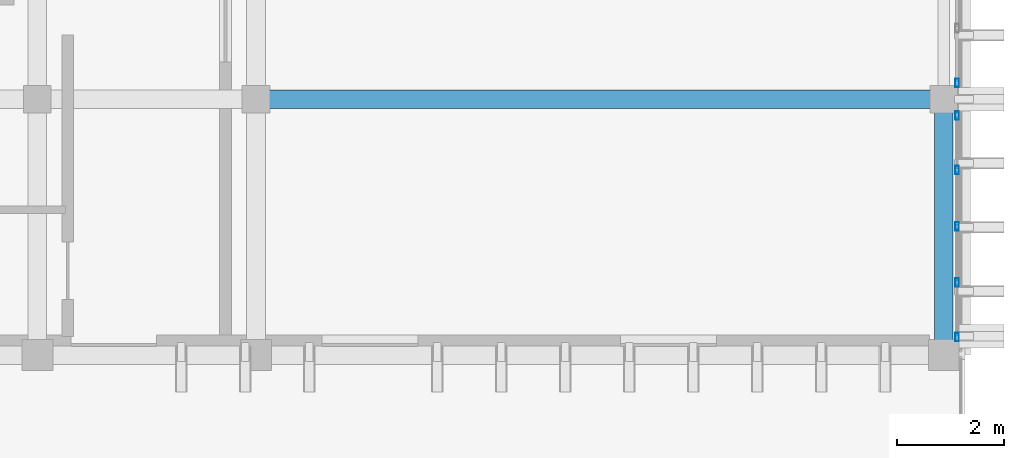
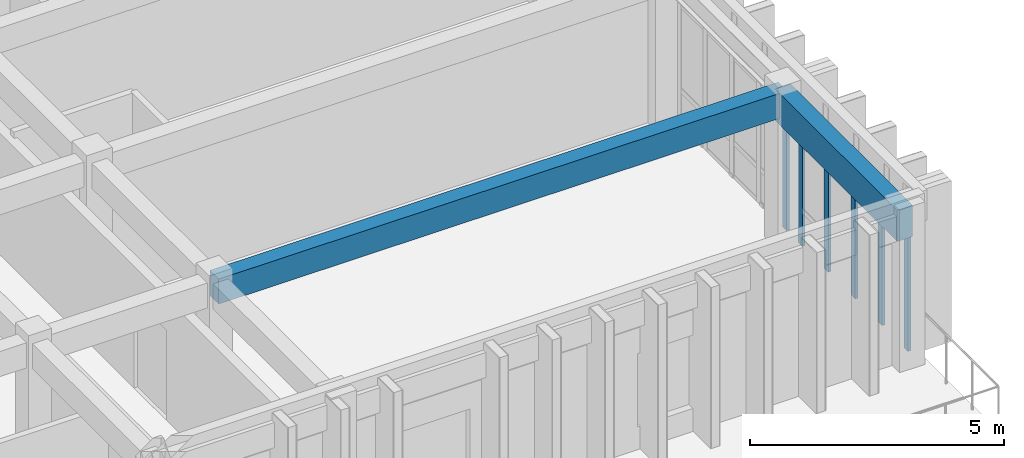
# One storey, part 6 of 49: 6 members, 2 beams, 2 elements without a shape of their own.
"""IFC4 building model written with IfcOpenShell, lengths in metres."""

from ifc_helpers import new_model, si_unit, direction, frame, origin, origin_2d, place, context, subcontext, project, spatial, rectangle, hollow_rectangle, extrude, material, layer, layer_set, material_profile, profile_set, type_object, element, aggregate, save


model = new_model("IFC4")

# Units and contexts
model_context = context("Model", 3, precision=1e-05, world=origin(), true_north=direction((0.0, 1.0)))
body_context = subcontext(model_context, "Body", "Model", "MODEL_VIEW")
ifc_project = project(units=[si_unit("LENGTHUNIT", "METRE"), si_unit("AREAUNIT", "SQUARE_METRE"), si_unit("VOLUMEUNIT", "CUBIC_METRE"), si_unit("PLANEANGLEUNIT", "RADIAN"), si_unit("MASSUNIT", "GRAM", prefix="KILO")], contexts=[model_context])

# Site, building, storey
site_placement = place(None, origin())
site = spatial("IfcSite", under=ifc_project, at=site_placement, CompositionType="ELEMENT")
building_placement = place(site_placement, origin())
building = spatial("IfcBuilding", under=site, at=building_placement, Name="Nakhvara Creek Congress Hotel", CompositionType="ELEMENT")
storey_placement = place(building_placement, frame((0.0, 0.0, 46.5)))
storey = spatial("IfcBuildingStorey", under=building, at=storey_placement, Name="L11", CompositionType="ELEMENT", Elevation=46.5)

# Beams
ifc_material_1 = material(Name="Concrete C40/50", Category="concrete")
ifc_material_profile_1 = material_profile(ifc_material_1, rectangle(XDim=0.35009765625, YDim=0.60009765625, at=origin_2d()), Name="RC-BM 350x600", Category="LoadBearing")
ifc_profile_set_1 = profile_set([ifc_material_profile_1], Name="Concrete C40/50")
beam_type_1 = type_object("IfcBeamType", Name="BM-RC-350X600", PredefinedType="BEAM", material=ifc_profile_set_1)
beam_1_placement = place(storey_placement, frame((166.449951171875, 72.0, 3.3798828125), z_axis=(1.0, 0.0, 0.0), x_axis=(0.0, 1.0, 0.0)))
element("IfcBeam", 1, at=beam_1_placement, inside=storey, type_object=beam_type_1, Name="Beam B07-L11-2775", PredefinedType="BEAM", context=body_context, shape_type="SweptSolid", body=[
    extrude(rectangle(XDim=0.35009765625, YDim=0.60009765625, at=origin_2d()), origin(), (0.0, 0.0, 1.0), 12.900146484375),
])
ifc_material_profile_2 = material_profile(ifc_material_1, rectangle(XDim=0.35009765625, YDim=0.75, at=origin_2d()), Name="RC-SPANDREL 350x750", Category="LoadBearing")
ifc_profile_set_2 = profile_set([ifc_material_profile_2], Name="Concrete C40/50")
beam_type_2 = type_object("IfcBeamType", Name="BM-SPN-350X750", PredefinedType="SPANDREL", material=ifc_profile_set_2)
beam_2_placement = place(storey_placement, frame((179.35009765625, 67.199951171875, 3.304931640625), z_axis=(0.0, 1.0, 0.0), x_axis=(-1.0, 0.0, 0.0)))
element("IfcBeam", 2, at=beam_2_placement, inside=storey, type_object=beam_type_2, Name="Beam SP1-L11-2764", PredefinedType="SPANDREL", context=body_context, shape_type="SweptSolid", body=[
    extrude(rectangle(XDim=0.35009765625, YDim=0.75, at=origin_2d()), origin(), (0.0, 0.0, 1.0), 4.800048828125),
])

# Curtain wall, members
ifc_material_2 = material(Name="Bronze-anodised aluminium AW-6063-T6 and double-silver low-E glass", Category="aluminium")
ifc_layer = layer(ifc_material_2, 0.199951171875)
ifc_layer_set = layer_set([ifc_layer], Name="Bronze-anodised aluminium AW-6063-T6 and double-silver low-E glass")
curtain_wall_type = type_object("IfcCurtainWallType", Name="CW-HTL-UNIT", PredefinedType="USERDEFINED", material=ifc_layer_set)
curtain_wall_1_placement = place(storey_placement, origin())
curtain_wall_1 = element("IfcCurtainWall", 3, at=curtain_wall_1_placement, inside=storey, type_object=curtain_wall_type, Name="Curtain Wall CW332", ObjectType="UNITISED", PredefinedType="USERDEFINED")
ifc_material_3 = material(Name="Bronze-anodised aluminium AW-6063-T6", Category="aluminium")
ifc_material_profile_3 = material_profile(ifc_material_3, hollow_rectangle(XDim=0.06494140625, YDim=0.159912109375, WallThickness=0.00390625, at=origin_2d()), Name="ALU-MULL 65x160x4", Category="LoadBearing")
ifc_profile_set_3 = profile_set([ifc_material_profile_3], Name="Bronze-anodised aluminium AW-6063-T6")
member_type = type_object("IfcMemberType", Name="CW-MULL-160", PredefinedType="MULLION", material=ifc_profile_set_3)
member_1_placement = place(storey_placement, frame((179.60009765625, 71.6923828125, 0.0), z_axis=(0.0, 0.0, 1.0), x_axis=(1.0, 0.0, 0.0)))
member_1 = element("IfcMember", 4, at=member_1_placement, type_object=member_type, Name="CW332 mullion 1", PredefinedType="MULLION", context=body_context, shape_type="SweptSolid", body=[
    extrude(hollow_rectangle(XDim=0.06494140625, YDim=0.159912109375, WallThickness=0.00390625, at=origin_2d()), origin(), (0.0, 0.0, 1.0), 2.922119140625),
])
member_2_placement = place(storey_placement, frame((179.60009765625, 70.669921875, 0.0), z_axis=(0.0, 0.0, 1.0), x_axis=(1.0, 0.0, 0.0)))
member_2 = element("IfcMember", 5, at=member_2_placement, type_object=member_type, Name="CW332 mullion 2", PredefinedType="MULLION", context=body_context, shape_type="SweptSolid", body=[
    extrude(hollow_rectangle(XDim=0.06494140625, YDim=0.159912109375, WallThickness=0.00390625, at=origin_2d()), origin(), (0.0, 0.0, 1.0), 2.922119140625),
])
member_3_placement = place(storey_placement, frame((179.60009765625, 69.614990234375, 0.0), z_axis=(0.0, 0.0, 1.0), x_axis=(1.0, 0.0, 0.0)))
member_3 = element("IfcMember", 6, at=member_3_placement, type_object=member_type, Name="CW332 mullion 3", PredefinedType="MULLION", context=body_context, shape_type="SweptSolid", body=[
    extrude(hollow_rectangle(XDim=0.06494140625, YDim=0.159912109375, WallThickness=0.00390625, at=origin_2d()), origin(), (0.0, 0.0, 1.0), 2.922119140625),
])
member_4_placement = place(storey_placement, frame((179.60009765625, 68.56005859375, 0.0), z_axis=(0.0, 0.0, 1.0), x_axis=(1.0, 0.0, 0.0)))
member_4 = element("IfcMember", 7, at=member_4_placement, type_object=member_type, Name="CW332 mullion 4", PredefinedType="MULLION", context=body_context, shape_type="SweptSolid", body=[
    extrude(hollow_rectangle(XDim=0.06494140625, YDim=0.159912109375, WallThickness=0.00390625, at=origin_2d()), origin(), (0.0, 0.0, 1.0), 2.922119140625),
])
member_5_placement = place(storey_placement, frame((179.60009765625, 67.53759765625, 0.0), z_axis=(0.0, 0.0, 1.0), x_axis=(1.0, 0.0, 0.0)))
member_5 = element("IfcMember", 8, at=member_5_placement, type_object=member_type, Name="CW332 mullion 5", PredefinedType="MULLION", context=body_context, shape_type="SweptSolid", body=[
    extrude(hollow_rectangle(XDim=0.06494140625, YDim=0.159912109375, WallThickness=0.00390625, at=origin_2d()), origin(), (0.0, 0.0, 1.0), 2.922119140625),
])
aggregate(curtain_wall_1, [member_1, member_2, member_3, member_4, member_5])

# Curtain wall, member
curtain_wall_2_placement = place(storey_placement, origin())
curtain_wall_2 = element("IfcCurtainWall", 9, at=curtain_wall_2_placement, inside=storey, type_object=curtain_wall_type, Name="Curtain Wall CW334", ObjectType="UNITISED", PredefinedType="USERDEFINED")
member_6_placement = place(storey_placement, frame((179.60009765625, 72.3076171875, 0.0), z_axis=(0.0, 0.0, 1.0), x_axis=(1.0, 0.0, 0.0)))
member_6 = element("IfcMember", 10, at=member_6_placement, type_object=member_type, Name="CW334 mullion 5", PredefinedType="MULLION", context=body_context, shape_type="SweptSolid", body=[
    extrude(hollow_rectangle(XDim=0.06494140625, YDim=0.159912109375, WallThickness=0.00390625, at=origin_2d()), origin(), (0.0, 0.0, 1.0), 2.922119140625),
])
aggregate(curtain_wall_2, [member_6])

save(model, "model.ifc")
